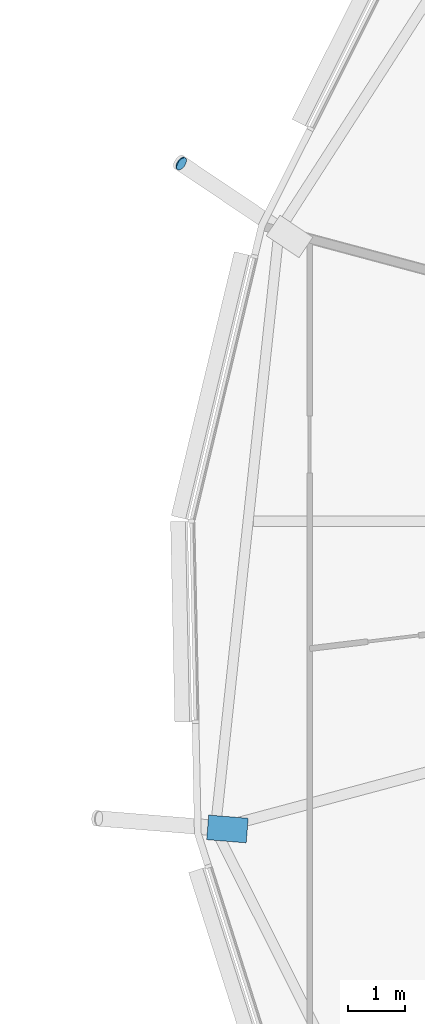
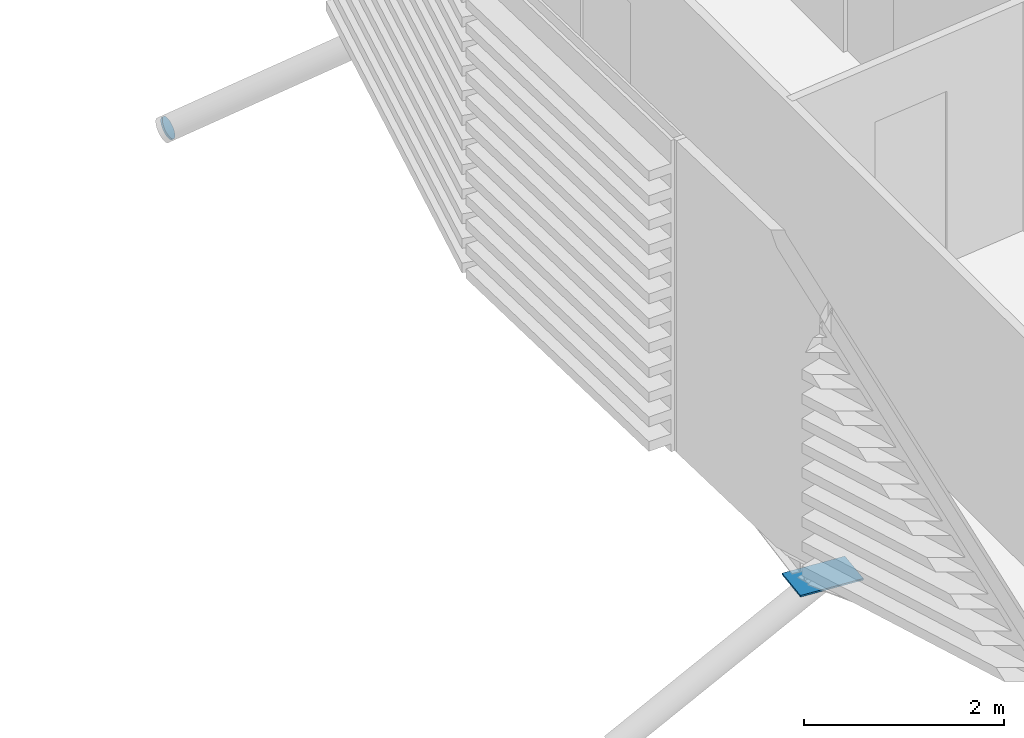
# One storey, part 28 of 38: 2 discrete accessories.
"""IFC4 building model written with IfcOpenShell, lengths in metres."""

from ifc_helpers import new_model, si_unit, direction, frame, origin, origin_2d, place, context, subcontext, project, spatial, polyline, rectangle, circle, outline, extrude, material, material_profile, profile_set, type_object, element, save


model = new_model("IFC4")

# Units and contexts
model_context = context("Model", 3, precision=1e-05, world=origin(), true_north=direction((0.0, 1.0)))
body_context = subcontext(model_context, "Body", "Model", "MODEL_VIEW")
ifc_project = project(units=[si_unit("LENGTHUNIT", "METRE"), si_unit("AREAUNIT", "SQUARE_METRE"), si_unit("VOLUMEUNIT", "CUBIC_METRE"), si_unit("PLANEANGLEUNIT", "RADIAN"), si_unit("MASSUNIT", "GRAM", prefix="KILO")], contexts=[model_context])

# Site, building, storey
site_placement = place(None, origin())
site = spatial("IfcSite", under=ifc_project, at=site_placement, CompositionType="ELEMENT")
building_placement = place(site_placement, origin())
building = spatial("IfcBuilding", under=site, at=building_placement, Name="Rimbun Link Towers", CompositionType="ELEMENT")
storey_placement = place(building_placement, frame((0.0, 0.0, 185.5)))
storey = spatial("IfcBuildingStorey", under=building, at=storey_placement, Name="L45", CompositionType="ELEMENT", Elevation=185.5)

# Discrete accessories
ifc_material_1 = material(Name="Steel S355J2H", Category="steel")
ifc_material_profile_1 = material_profile(ifc_material_1, circle(Radius=0.1240234375, at=origin_2d()), Name="PL D248")
ifc_profile_set_1 = profile_set([ifc_material_profile_1], Name="Steel S355J2H")
discrete_accessory_type_1 = type_object("IfcDiscreteAccessoryType", Name="Link foot sealing plate D248X20", PredefinedType="BRACKET", material=ifc_profile_set_1)
discrete_accessory_1_placement = place(storey_placement, frame((10.986328125, 6.275634765625, -1.935791015625), z_axis=(-0.713124382013, 0.483474157297, -0.507647865162), x_axis=(-0.561158303868, -0.827708498205, 0.0)))
element("IfcDiscreteAccessory", 1, at=discrete_accessory_1_placement, inside=storey, type_object=discrete_accessory_type_1, Name="Link foot sealing plate T2 L45 08", PredefinedType="BRACKET", context=body_context, shape_type="SweptSolid", body=[
    extrude(circle(Radius=0.1240234375, at=origin_2d()), origin(), (0.0, 0.0, 1.0), 0.020263671875),
])
ifc_material_2 = material(Name="Steel S355J2H", Category="steel")
ifc_material_profile_2 = material_profile(ifc_material_2, rectangle(XDim=0.43310546875, YDim=0.43310546875, at=origin_2d()), Name="PL 433x433")
ifc_profile_set_2 = profile_set([ifc_material_profile_2], Name="Steel S355J2H")
discrete_accessory_type_2 = type_object("IfcDiscreteAccessoryType", Name="Link head end plate 433X20", PredefinedType="BRACKET", material=ifc_profile_set_2)
discrete_accessory_2_placement = place(storey_placement, frame((0.0, 0.0, -0.623291015625)))
element("IfcDiscreteAccessory", 2, at=discrete_accessory_2_placement, inside=storey, type_object=discrete_accessory_type_2, Name="Link head end plate T2 L45 10", PredefinedType="BRACKET", context=body_context, shape_type="SweptSolid", body=[
    extrude(outline(polyline([(12.156494140625, -5.217529296875), (11.46240234375, -5.160888671875), (11.427001953125, -5.592529296875), (12.12109375, -5.64892578125), (12.156494140625, -5.217529296875)])), origin(), (0.0, 0.0, 1.0), 0.019775390625),
])

save(model, "model.ifc")
